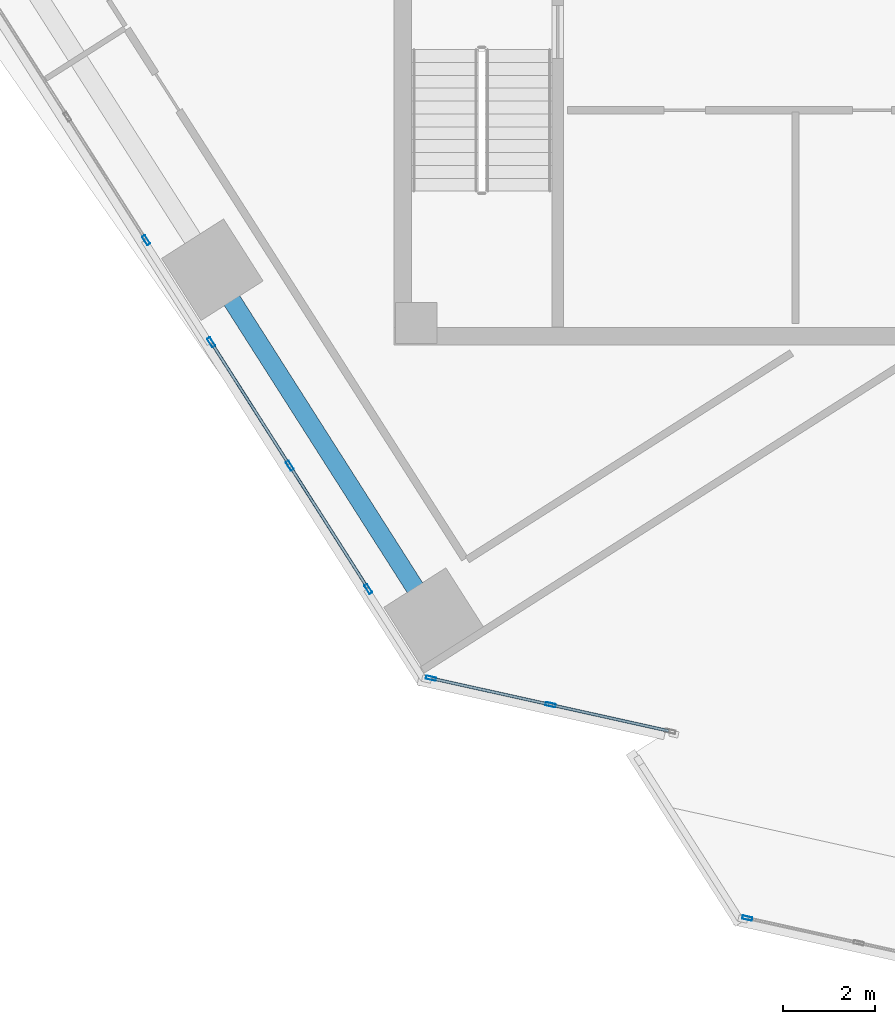
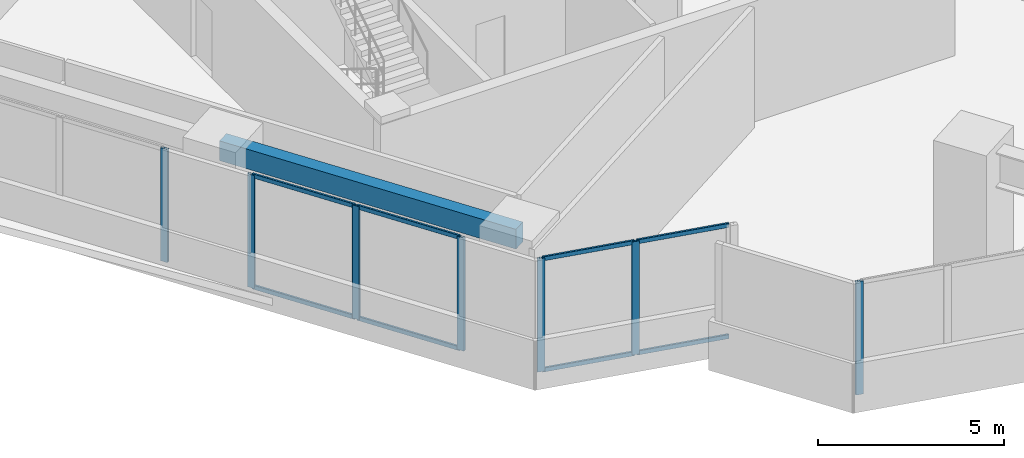
# One storey, part 2 of 15: 15 members, 1 beam, 4 elements without a shape of their own.
"""IFC4 building model written with IfcOpenShell, lengths in metres."""

from ifc_helpers import new_model, si_unit, direction, frame, origin, origin_2d, place, context, subcontext, project, spatial, rectangle, hollow_rectangle, extrude, source, transform, mapped, material, material_profile, profile_set, type_object, element, aggregate, save


model = new_model("IFC4")

# Units and contexts
model_context = context("Model", 3, precision=1e-05, world=origin(), true_north=direction((0.0, 1.0)))
body_context = subcontext(model_context, "Body", "Model", "MODEL_VIEW")
ifc_project = project(units=[si_unit("LENGTHUNIT", "METRE"), si_unit("AREAUNIT", "SQUARE_METRE"), si_unit("VOLUMEUNIT", "CUBIC_METRE"), si_unit("PLANEANGLEUNIT", "RADIAN"), si_unit("MASSUNIT", "GRAM", prefix="KILO")], contexts=[model_context])

# Site, building, storey
site_placement = place(None, origin())
site = spatial("IfcSite", under=ifc_project, at=site_placement, CompositionType="ELEMENT")
building_placement = place(site_placement, origin())
building = spatial("IfcBuilding", under=site, at=building_placement, Name="Torre Montelarca", CompositionType="ELEMENT")
storey_placement = place(building_placement, frame((0.0, 0.0, 307.199951171875)))
storey = spatial("IfcBuildingStorey", under=building, at=storey_placement, Name="L69", CompositionType="ELEMENT", Elevation=307.199951171875)

# Beam
ifc_material_1 = material(Name="Concrete C40/50", Category="concrete")
ifc_material_profile_1 = material_profile(ifc_material_1, rectangle(XDim=0.39990234375, YDim=0.64990234375, at=origin_2d()), Name="RCB400X650", Category="concrete")
ifc_profile_set_1 = profile_set([ifc_material_profile_1], Name="Concrete C40/50")
beam_type = type_object("IfcBeamType", Name="BM-SP-RC650-EXT", PredefinedType="SPANDREL", material=ifc_profile_set_1)
shared_shape_1 = source(origin(), body_context, "Body", "SweptSolid", [
    extrude(rectangle(XDim=0.39990234375, YDim=0.64990234375, at=origin_2d()), origin(), (0.0, 0.0, 1.0), 8.999755859375),
])
beam_placement = place(storey_placement, frame((5.113037109375, 25.710205078125, 3.635009765625), z_axis=(0.537308978211, -0.843385476478, 0.0), x_axis=(0.843385476478, 0.537308978211, 0.0)))
element("IfcBeam", 1, at=beam_placement, inside=storey, type_object=beam_type, Name="L69 Grid Girder X 18.0-27.0 at Y=14.8", PredefinedType="SPANDREL", context=body_context, shape_type="MappedRepresentation", body=[
    mapped(shared_shape_1, transform((0.0, 0.0, 0.0), scale=1.0)),
])

# Curtain wall, member
ifc_material_2 = material(Name="Insulated low-E laminated glass", Category="glass")
curtain_wall_type = type_object("IfcCurtainWallType", Name="CW-SYS-Z4", PredefinedType="USERDEFINED", material=ifc_material_2)
curtain_wall_1_placement = place(storey_placement, origin())
curtain_wall_1 = element("IfcCurtainWall", 2, at=curtain_wall_1_placement, inside=storey, type_object=curtain_wall_type, Name="L69 Curtain Wall Run CW-T3-L69-E01-B1", ObjectType="UNITISED GLAZING", PredefinedType="USERDEFINED")
ifc_material_3 = material(Name="Anodised aluminium AA 6063-T6", Category="aluminium")
ifc_material_profile_2 = material_profile(ifc_material_3, hollow_rectangle(XDim=0.074951171875, YDim=0.219970703125, WallThickness=0.0048828125, InnerFilletRadius=0.0048828125, OuterFilletRadius=0.010009765625, at=origin_2d()), Name="ALU75X220X5", Category="aluminium")
ifc_profile_set_2 = profile_set([ifc_material_profile_2], Name="Anodised aluminium AA 6063-T6")
member_type_1 = type_object("IfcMemberType", Name="CWM-ALU220", PredefinedType="MULLION", material=ifc_profile_set_2)
shared_shape_2 = source(origin(), body_context, "Body", "SweptSolid", [
    extrude(hollow_rectangle(XDim=0.074951171875, YDim=0.219970703125, WallThickness=0.0048828125, InnerFilletRadius=0.0048828125, OuterFilletRadius=0.010009765625, at=origin_2d()), origin(), (0.0, 0.0, 1.0), 3.719970703125),
])
member_1_placement = place(storey_placement, frame((3.67138671875, 26.35400390625, 0.0), z_axis=(0.0, 0.0, 1.0), x_axis=(0.843390278763, 0.537301440244, 0.0)))
member_1 = element("IfcMember", 3, at=member_1_placement, type_object=member_type_1, Name="CW mullion 3", PredefinedType="MULLION", context=body_context, shape_type="MappedRepresentation", body=[
    mapped(shared_shape_2, transform((0.0, 0.0, 0.0), scale=1.0)),
])
aggregate(curtain_wall_1, [member_1])

# Curtain wall, members
curtain_wall_2_placement = place(storey_placement, origin())
curtain_wall_2 = element("IfcCurtainWall", 4, at=curtain_wall_2_placement, inside=storey, type_object=curtain_wall_type, Name="L69 Curtain Wall Run CW-T3-L69-E01-B2", ObjectType="UNITISED GLAZING", PredefinedType="USERDEFINED")
member_2_placement = place(storey_placement, frame((5.087158203125, 24.131591796875, 0.0), z_axis=(0.0, 0.0, 1.0), x_axis=(0.843390278763, 0.537301440244, 0.0)))
member_2 = element("IfcMember", 5, at=member_2_placement, type_object=member_type_1, Name="CW mullion 1", PredefinedType="MULLION", context=body_context, shape_type="MappedRepresentation", body=[
    mapped(shared_shape_2, transform((0.0, 0.0, 0.0), scale=1.0)),
])
member_3_placement = place(storey_placement, frame((6.797119140625, 21.447509765625, 0.0), z_axis=(0.0, 0.0, 1.0), x_axis=(0.843390278763, 0.537301440244, 0.0)))
member_3 = element("IfcMember", 6, at=member_3_placement, type_object=member_type_1, Name="CW mullion 2", PredefinedType="MULLION", context=body_context, shape_type="MappedRepresentation", body=[
    mapped(shared_shape_2, transform((0.0, 0.0, 0.0), scale=1.0)),
])
member_4_placement = place(storey_placement, frame((8.507080078125, 18.763427734375, 0.0), z_axis=(0.0, 0.0, 1.0), x_axis=(0.843390278763, 0.537301440244, 0.0)))
member_4 = element("IfcMember", 7, at=member_4_placement, type_object=member_type_1, Name="CW mullion 3", PredefinedType="MULLION", context=body_context, shape_type="MappedRepresentation", body=[
    mapped(shared_shape_2, transform((0.0, 0.0, 0.0), scale=1.0)),
])

curtain_wall_3_placement = place(storey_placement, origin())
curtain_wall_3 = element("IfcCurtainWall", 8, at=curtain_wall_3_placement, inside=storey, type_object=curtain_wall_type, Name="L69 Curtain Wall Run CW-T3-L69-E02-B1", ObjectType="UNITISED GLAZING", PredefinedType="USERDEFINED")
member_5_placement = place(storey_placement, frame((9.869384765625, 16.822021484375, 0.0), z_axis=(0.0, 0.0, 1.0), x_axis=(0.216448974638, 0.976293931856, 0.0)))
member_5 = element("IfcMember", 9, at=member_5_placement, type_object=member_type_1, Name="CW mullion 1", PredefinedType="MULLION", context=body_context, shape_type="MappedRepresentation", body=[
    mapped(shared_shape_2, transform((0.0, 0.0, 0.0), scale=1.0)),
])
member_6_placement = place(storey_placement, frame((12.4736328125, 16.24462890625, 0.0), z_axis=(0.0, 0.0, 1.0), x_axis=(0.216448974638, 0.976293931856, 0.0)))
member_6 = element("IfcMember", 10, at=member_6_placement, type_object=member_type_1, Name="CW mullion 2", PredefinedType="MULLION", context=body_context, shape_type="MappedRepresentation", body=[
    mapped(shared_shape_2, transform((0.0, 0.0, 0.0), scale=1.0)),
])

# Curtain wall, member
curtain_wall_4_placement = place(storey_placement, origin())
curtain_wall_4 = element("IfcCurtainWall", 11, at=curtain_wall_4_placement, inside=storey, type_object=curtain_wall_type, Name="L69 Curtain Wall Run CW-T3-L69-E05-B1", ObjectType="UNITISED GLAZING", PredefinedType="USERDEFINED")
member_7_placement = place(storey_placement, frame((16.751708984375, 11.6025390625, 0.0), z_axis=(0.0, 0.0, 1.0), x_axis=(0.216439080105, 0.976296125468, 0.0)))
member_7 = element("IfcMember", 12, at=member_7_placement, type_object=member_type_1, Name="CW mullion 1", PredefinedType="MULLION", context=body_context, shape_type="MappedRepresentation", body=[
    mapped(shared_shape_2, transform((0.0, 0.0, 0.0), scale=1.0)),
])
aggregate(curtain_wall_4, [member_7])

# Member
ifc_material_profile_3 = material_profile(ifc_material_3, hollow_rectangle(XDim=0.06494140625, YDim=0.139892578125, WallThickness=0.00390625, InnerFilletRadius=0.00390625, OuterFilletRadius=0.008056640625, at=origin_2d()), Name="ALU65X140X4", Category="aluminium")
ifc_profile_set_3 = profile_set([ifc_material_profile_3], Name="Anodised aluminium AA 6063-T6")
member_type_2 = type_object("IfcMemberType", Name="CWT-ALU140", PredefinedType="USERDEFINED", material=ifc_profile_set_3)
shared_shape_3 = source(origin(), body_context, "Body", "SweptSolid", [
    extrude(hollow_rectangle(XDim=0.06494140625, YDim=0.139892578125, WallThickness=0.00390625, InnerFilletRadius=0.00390625, OuterFilletRadius=0.008056640625, at=origin_2d()), origin(), (0.0, 0.0, 1.0), 2.592529296875),
])
member_8_placement = place(storey_placement, frame((9.906005859375, 16.81396484375, 0.032470703125), z_axis=(0.976302147171, -0.216411916099, 0.0), x_axis=(0.216411916099, 0.976302147171, 0.0)))
member_8 = element("IfcMember", 13, at=member_8_placement, type_object=member_type_2, Name="CW transom 1.1", ObjectType="TRANSOM", PredefinedType="USERDEFINED", context=body_context, shape_type="MappedRepresentation", body=[
    mapped(shared_shape_3, transform((0.0, 0.0, 0.0), scale=1.0)),
])

member_9_placement = place(storey_placement, frame((9.906005859375, 16.81396484375, 3.6875), z_axis=(0.976302147171, -0.216411916099, 0.0), x_axis=(0.216411916099, 0.976302147171, 0.0)))
member_9 = element("IfcMember", 14, at=member_9_placement, type_object=member_type_2, Name="CW transom 1.2", ObjectType="TRANSOM", PredefinedType="USERDEFINED", context=body_context, shape_type="MappedRepresentation", body=[
    mapped(shared_shape_3, transform((0.0, 0.0, 0.0), scale=1.0)),
])

member_10_placement = place(storey_placement, frame((12.51025390625, 16.236572265625, 0.032470703125), z_axis=(0.976302147171, -0.216411916099, 0.0), x_axis=(0.216411916099, 0.976302147171, 0.0)))
member_10 = element("IfcMember", 15, at=member_10_placement, type_object=member_type_2, Name="CW transom 2.1", ObjectType="TRANSOM", PredefinedType="USERDEFINED", context=body_context, shape_type="MappedRepresentation", body=[
    mapped(shared_shape_3, transform((0.0, 0.0, 0.0), scale=1.0)),
])

member_11_placement = place(storey_placement, frame((12.51025390625, 16.236572265625, 3.6875), z_axis=(0.976302147171, -0.216411916099, 0.0), x_axis=(0.216411916099, 0.976302147171, 0.0)))
member_11 = element("IfcMember", 16, at=member_11_placement, type_object=member_type_2, Name="CW transom 2.2", ObjectType="TRANSOM", PredefinedType="USERDEFINED", context=body_context, shape_type="MappedRepresentation", body=[
    mapped(shared_shape_3, transform((0.0, 0.0, 0.0), scale=1.0)),
])

aggregate(curtain_wall_3, [member_5, member_6, member_8, member_9, member_10, member_11])

shared_shape_4 = source(origin(), body_context, "Body", "SweptSolid", [
    extrude(hollow_rectangle(XDim=0.06494140625, YDim=0.139892578125, WallThickness=0.00390625, InnerFilletRadius=0.00390625, OuterFilletRadius=0.008056640625, at=origin_2d()), origin(), (0.0, 0.0, 1.0), 3.107421875),
])
member_12_placement = place(storey_placement, frame((5.107421875, 24.10009765625, 0.032470703125), z_axis=(0.537302444451, -0.843389639009, 0.0), x_axis=(0.843389639009, 0.537302444451, 0.0)))
member_12 = element("IfcMember", 17, at=member_12_placement, type_object=member_type_2, Name="CW transom 1.1", ObjectType="TRANSOM", PredefinedType="USERDEFINED", context=body_context, shape_type="MappedRepresentation", body=[
    mapped(shared_shape_4, transform((0.0, 0.0, 0.0), scale=1.0)),
])

member_13_placement = place(storey_placement, frame((5.107421875, 24.10009765625, 3.6875), z_axis=(0.537302444451, -0.843389639009, 0.0), x_axis=(0.843389639009, 0.537302444451, 0.0)))
member_13 = element("IfcMember", 18, at=member_13_placement, type_object=member_type_2, Name="CW transom 1.2", ObjectType="TRANSOM", PredefinedType="USERDEFINED", context=body_context, shape_type="MappedRepresentation", body=[
    mapped(shared_shape_4, transform((0.0, 0.0, 0.0), scale=1.0)),
])

member_14_placement = place(storey_placement, frame((6.8173828125, 21.416015625, 0.032470703125), z_axis=(0.537302444451, -0.843389639009, 0.0), x_axis=(0.843389639009, 0.537302444451, 0.0)))
member_14 = element("IfcMember", 19, at=member_14_placement, type_object=member_type_2, Name="CW transom 2.1", ObjectType="TRANSOM", PredefinedType="USERDEFINED", context=body_context, shape_type="MappedRepresentation", body=[
    mapped(shared_shape_4, transform((0.0, 0.0, 0.0), scale=1.0)),
])

member_15_placement = place(storey_placement, frame((6.8173828125, 21.416015625, 3.6875), z_axis=(0.537302444451, -0.843389639009, 0.0), x_axis=(0.843389639009, 0.537302444451, 0.0)))
member_15 = element("IfcMember", 20, at=member_15_placement, type_object=member_type_2, Name="CW transom 2.2", ObjectType="TRANSOM", PredefinedType="USERDEFINED", context=body_context, shape_type="MappedRepresentation", body=[
    mapped(shared_shape_4, transform((0.0, 0.0, 0.0), scale=1.0)),
])

aggregate(curtain_wall_2, [member_2, member_3, member_4, member_12, member_13, member_14, member_15])

save(model, "model.ifc")
